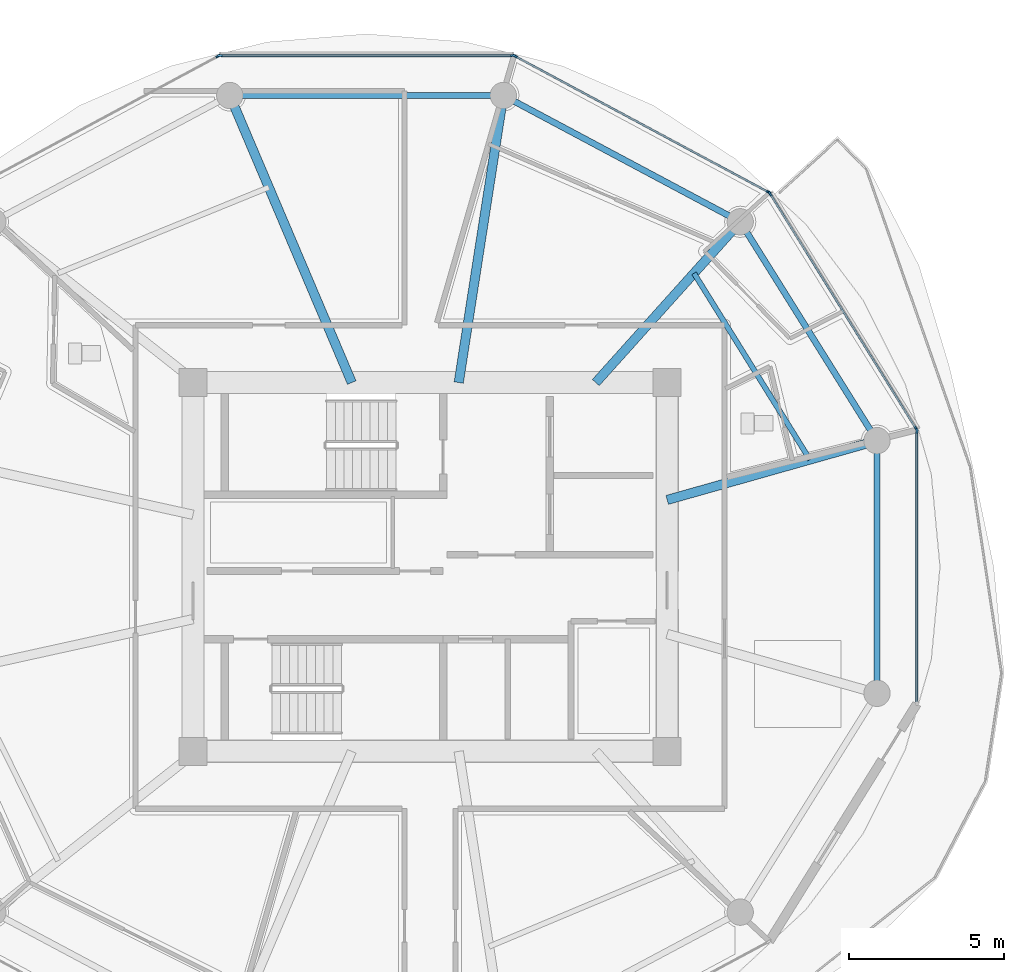
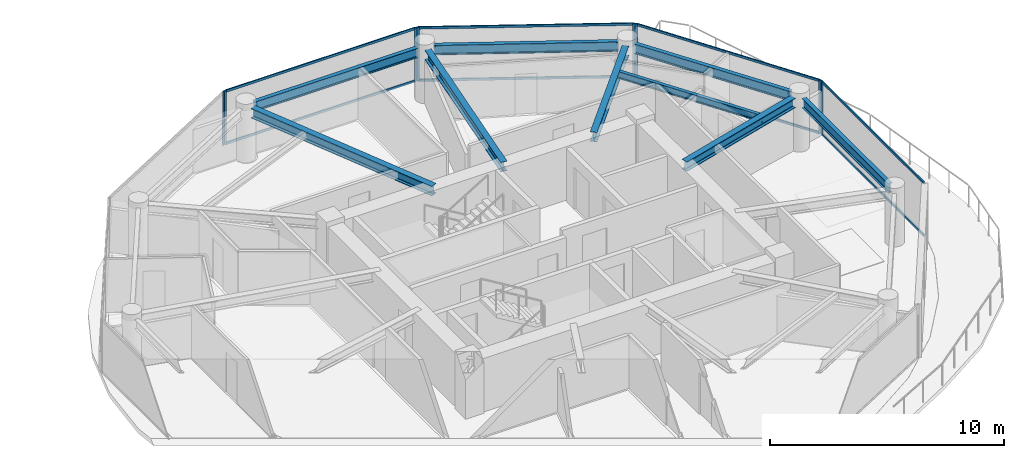
# One storey, part 11 of 25: 16 members, 9 beams, 5 elements without a shape of their own.
"""IFC4 building model written with IfcOpenShell, lengths in metres."""

from ifc_helpers import new_model, si_unit, direction, frame, origin, origin_2d, place, context, subcontext, project, spatial, rectangle, i_section, extrude, source, transform, mapped, material, layer, layer_set, material_profile, profile_set, type_object, type_shapes, element, aggregate, save


model = new_model("IFC4")

# Units and contexts
model_context = context("Model", 3, precision=1e-05, world=origin(), true_north=direction((0.0, 1.0)))
body_context = subcontext(model_context, "Body", "Model", "MODEL_VIEW")
ifc_project = project(units=[si_unit("LENGTHUNIT", "METRE"), si_unit("AREAUNIT", "SQUARE_METRE"), si_unit("VOLUMEUNIT", "CUBIC_METRE"), si_unit("PLANEANGLEUNIT", "RADIAN"), si_unit("MASSUNIT", "GRAM", prefix="KILO")], contexts=[model_context])

# Site, building, storey
site_placement = place(None, origin())
site = spatial("IfcSite", under=ifc_project, at=site_placement, CompositionType="ELEMENT")
building_placement = place(site_placement, origin())
building = spatial("IfcBuilding", under=site, at=building_placement, Name="Norrkilde Senior Care Towers", CompositionType="ELEMENT")
storey_placement = place(building_placement, frame((0.0, 0.0, 99.300048828125)))
storey = spatial("IfcBuildingStorey", under=building, at=storey_placement, Name="L30", CompositionType="ELEMENT", Elevation=99.300048828125)

# Beams
ifc_material_1 = material(Name="Steel S355", Category="steel")
ifc_material_profile_1 = material_profile(ifc_material_1, i_section(OverallWidth=0.199951171875, OverallDepth=0.5, WebThickness=0.01025390625, FlangeThickness=0.01611328125, FilletRadius=0.02099609375, at=origin_2d()), Name="IPE 500")
ifc_profile_set_1 = profile_set([ifc_material_profile_1], Name="Steel S355")
beam_type_1 = type_object("IfcBeamType", Name="Perimeter Ring Spandrel Z2 IPE500", PredefinedType="SPANDREL", material=ifc_profile_set_1)
shared_shape_1 = source(origin(), body_context, "Body", "SweptSolid", [
    extrude(i_section(OverallWidth=0.199951171875, OverallDepth=0.5, WebThickness=0.01025390625, FlangeThickness=0.01611328125, FilletRadius=0.02099609375, at=origin_2d()), origin(), (0.0, 0.0, 1.0), 7.892333984375),
])
beam_1_placement = place(storey_placement, frame((37.66650390625, 11.318115234375, 2.5400390625), z_axis=(-0.882350372282, 0.47059305194, 0.0), x_axis=(-0.47059305194, -0.882350372282, 0.0)))
element("IfcBeam", 1, at=beam_1_placement, inside=storey, type_object=beam_type_1, Name="L30 Drum E Perimeter Spandrel 02", PredefinedType="SPANDREL", context=body_context, shape_type="MappedRepresentation", body=[
    mapped(shared_shape_1, transform((0.0, 0.0, 0.0), x_axis=(1.0, 0.0, 0.0), y_axis=(0.0, 1.0, 0.0), z_axis=(0.0, 0.0, 1.0), scale=1.0)),
])
shared_shape_2 = source(origin(), body_context, "Body", "SweptSolid", [
    extrude(i_section(OverallWidth=0.199951171875, OverallDepth=0.5, WebThickness=0.01025390625, FlangeThickness=0.01611328125, FilletRadius=0.02099609375, at=origin_2d()), origin(), (0.0, 0.0, 1.0), 8.0556640625),
])
beam_2_placement = place(storey_placement, frame((29.977783203125, 15.21337890625, 2.5400390625), z_axis=(-1.0, 0.0, 0.0), x_axis=(0.0, -1.0, 0.0)))
element("IfcBeam", 2, at=beam_2_placement, inside=storey, type_object=beam_type_1, Name="L30 Drum E Perimeter Spandrel 03", PredefinedType="SPANDREL", context=body_context, shape_type="MappedRepresentation", body=[
    mapped(shared_shape_2, transform((0.0, 0.0, 0.0), x_axis=(1.0, 0.0, 0.0), y_axis=(0.0, 1.0, 0.0), z_axis=(0.0, 0.0, 1.0), scale=1.0)),
])
ifc_material_profile_2 = material_profile(ifc_material_1, i_section(OverallWidth=0.300048828125, OverallDepth=0.5, WebThickness=0.014404296875, FlangeThickness=0.028076171875, FilletRadius=0.027099609375, at=origin_2d()), Name="HEB 500")
ifc_profile_set_2 = profile_set([ifc_material_profile_2], Name="Steel S355")
beam_type_2 = type_object("IfcBeamType", Name="Radial Floor Beam Z2 HEB500", PredefinedType="BEAM", material=ifc_profile_set_2)
shared_shape_3 = source(origin(), body_context, "Body", "SweptSolid", [
    extrude(i_section(OverallWidth=0.300048828125, OverallDepth=0.5, WebThickness=0.014404296875, FlangeThickness=0.028076171875, FilletRadius=0.027099609375, at=origin_2d()), origin(), (0.0, 0.0, 1.0), 9.679443359375),
])
beam_3_placement = place(storey_placement, frame((25.472412109375, 5.949951171875, 2.5400390625), z_axis=(-0.390998033479, 0.920391513333, 0.0), x_axis=(-0.920391513333, -0.390998033479, 0.0)))
element("IfcBeam", 3, at=beam_3_placement, inside=storey, type_object=beam_type_2, Name="L30 Drum E Radial Floor Beam 04", PredefinedType="BEAM", context=body_context, shape_type="MappedRepresentation", body=[
    mapped(shared_shape_3, transform((0.0, 0.0, 0.0), x_axis=(1.0, 0.0, 0.0), y_axis=(0.0, 1.0, 0.0), z_axis=(0.0, 0.0, 1.0), scale=1.0)),
])
shared_shape_4 = source(origin(), body_context, "Body", "SweptSolid", [
    extrude(i_section(OverallWidth=0.300048828125, OverallDepth=0.5, WebThickness=0.014404296875, FlangeThickness=0.028076171875, FilletRadius=0.027099609375, at=origin_2d()), origin(), (0.0, 0.0, 1.0), 8.989501953125),
])
beam_4_placement = place(storey_placement, frame((28.924072265625, 5.949951171875, 2.5400390625), z_axis=(0.153471298636, 0.988153105796, 0.0), x_axis=(-0.988153105796, 0.153471298636, 0.0)))
element("IfcBeam", 4, at=beam_4_placement, inside=storey, type_object=beam_type_2, Name="L30 Drum E Radial Floor Beam 03", PredefinedType="BEAM", context=body_context, shape_type="MappedRepresentation", body=[
    mapped(shared_shape_4, transform((0.0, 0.0, 0.0), x_axis=(1.0, 0.0, 0.0), y_axis=(0.0, 1.0, 0.0), z_axis=(0.0, 0.0, 1.0), scale=1.0)),
])
shared_shape_5 = source(origin(), body_context, "Body", "SweptSolid", [
    extrude(i_section(OverallWidth=0.199951171875, OverallDepth=0.5, WebThickness=0.01025390625, FlangeThickness=0.01611328125, FilletRadius=0.02099609375, at=origin_2d()), origin(), (0.0, 0.0, 1.0), 7.556396484375),
])
beam_5_placement = place(storey_placement, frame((42.215087890625, 4.40283203125, 2.5400390625), z_axis=(-0.530004748437, 0.847994673706, 0.0), x_axis=(-0.847994673706, -0.530004748437, 0.0)))
element("IfcBeam", 5, at=beam_5_placement, inside=storey, type_object=beam_type_1, Name="L30 Drum E Perimeter Spandrel 01", PredefinedType="SPANDREL", context=body_context, shape_type="MappedRepresentation", body=[
    mapped(shared_shape_5, transform((0.0, 0.0, 0.0), x_axis=(1.0, 0.0, 0.0), y_axis=(0.0, 1.0, 0.0), z_axis=(0.0, 0.0, 1.0), scale=1.0)),
])
shared_shape_6 = source(origin(), body_context, "Body", "SweptSolid", [
    extrude(i_section(OverallWidth=0.300048828125, OverallDepth=0.5, WebThickness=0.014404296875, FlangeThickness=0.028076171875, FilletRadius=0.027099609375, at=origin_2d()), origin(), (0.0, 0.0, 1.0), 6.587890625),
])
beam_6_placement = place(storey_placement, frame((33.345947265625, 5.949951171875, 2.5400390625), z_axis=(0.668315438605, 0.743877997068, 0.0), x_axis=(-0.743877997068, 0.668315438605, 0.0)))
element("IfcBeam", 6, at=beam_6_placement, inside=storey, type_object=beam_type_2, Name="L30 Drum E Radial Floor Beam 02", PredefinedType="BEAM", context=body_context, shape_type="MappedRepresentation", body=[
    mapped(shared_shape_6, transform((0.0, 0.0, 0.0), x_axis=(1.0, 0.0, 0.0), y_axis=(0.0, 1.0, 0.0), z_axis=(0.0, 0.0, 1.0), scale=1.0)),
])
shared_shape_7 = source(origin(), body_context, "Body", "SweptSolid", [
    extrude(i_section(OverallWidth=0.199951171875, OverallDepth=0.5, WebThickness=0.01025390625, FlangeThickness=0.01611328125, FilletRadius=0.02099609375, at=origin_2d()), origin(), (0.0, 0.0, 1.0), 7.3828125),
])
type_shapes(beam_type_1, [shared_shape_1, shared_shape_2, shared_shape_5, shared_shape_7])
beam_7_placement = place(storey_placement, frame((42.4189453125, -3.69140625, 2.5400390625), z_axis=(0.0, 1.0, 0.0), x_axis=(-1.0, 0.0, 0.0)))
element("IfcBeam", 7, at=beam_7_placement, inside=storey, type_object=beam_type_1, Name="L30 Drum E Perimeter Spandrel 12", PredefinedType="SPANDREL", context=body_context, shape_type="MappedRepresentation", body=[
    mapped(shared_shape_7, transform((0.0, 0.0, 0.0), x_axis=(1.0, 0.0, 0.0), y_axis=(0.0, 1.0, 0.0), z_axis=(0.0, 0.0, 1.0), scale=1.0)),
])
shared_shape_8 = source(origin(), body_context, "Body", "SweptSolid", [
    extrude(i_section(OverallWidth=0.300048828125, OverallDepth=0.5, WebThickness=0.014404296875, FlangeThickness=0.028076171875, FilletRadius=0.027099609375, at=origin_2d()), origin(), (0.0, 0.0, 1.0), 6.6494140625),
])
type_shapes(beam_type_2, [shared_shape_3, shared_shape_4, shared_shape_6, shared_shape_8])
beam_8_placement = place(storey_placement, frame((35.64990234375, 2.162841796875, 2.5400390625), z_axis=(0.962289138357, 0.27202870106, 0.0), x_axis=(-0.27202870106, 0.962289138357, 0.0)))
element("IfcBeam", 8, at=beam_8_placement, inside=storey, type_object=beam_type_2, Name="L30 Drum E Radial Floor Beam 01", PredefinedType="BEAM", context=body_context, shape_type="MappedRepresentation", body=[
    mapped(shared_shape_8, transform((0.0, 0.0, 0.0), x_axis=(1.0, 0.0, 0.0), y_axis=(0.0, 1.0, 0.0), z_axis=(0.0, 0.0, 1.0), scale=1.0)),
])
ifc_material_profile_3 = material_profile(ifc_material_1, i_section(OverallWidth=0.169921875, OverallDepth=0.360107421875, WebThickness=0.008056640625, FlangeThickness=0.0126953125, FilletRadius=0.01806640625, at=origin_2d()), Name="IPE 360")
ifc_profile_set_3 = profile_set([ifc_material_profile_3], Name="Steel S355")
beam_type_3 = type_object("IfcBeamType", Name="Secondary Floor Joist IPE360", PredefinedType="JOIST", material=ifc_profile_set_3)
shared_shape_9 = source(origin(), body_context, "Body", "SweptSolid", [
    extrude(i_section(OverallWidth=0.169921875, OverallDepth=0.360107421875, WebThickness=0.008056640625, FlangeThickness=0.0126953125, FilletRadius=0.01806640625, at=origin_2d()), origin(), (0.0, 0.0, 1.0), 7.080078125),
])
type_shapes(beam_type_3, [shared_shape_9])
beam_9_placement = place(storey_placement, frame((40.2529296875, 3.464111328125, 2.60986328125), z_axis=(-0.527961009189, 0.849268610497, 0.0), x_axis=(-0.849268610497, -0.527961009189, 0.0)))
element("IfcBeam", 9, at=beam_9_placement, inside=storey, type_object=beam_type_3, Name="L30 Drum E Secondary Floor Joist 1", PredefinedType="JOIST", context=body_context, shape_type="MappedRepresentation", body=[
    mapped(shared_shape_9, transform((0.0, 0.0, 0.0), x_axis=(1.0, 0.0, 0.0), y_axis=(0.0, 1.0, 0.0), z_axis=(0.0, 0.0, 1.0), scale=1.0)),
])

# Curtain wall, members
ifc_material_2 = material(Name="Triple Low-E Insulated Glazing", Category="glass")
ifc_layer = layer(ifc_material_2, 0.195068359375)
ifc_layer_set = layer_set([ifc_layer], Name="Triple Low-E Insulated Glazing")
curtain_wall_type = type_object("IfcCurtainWallType", Name="CW3 Zone 2 Assisted Living Curtain Wall", PredefinedType="NOTDEFINED", material=ifc_layer_set)
curtain_wall_1_placement = place(storey_placement, origin())
curtain_wall_1 = element("IfcCurtainWall", 10, at=curtain_wall_1_placement, inside=storey, type_object=curtain_wall_type, Name="L30 Drum E Curtain Wall 00", PredefinedType="NOTDEFINED")
ifc_material_3 = material(Name="Anodised Aluminium", Category="aluminium")
ifc_material_profile_4 = material_profile(ifc_material_3, rectangle(XDim=0.06494140625, YDim=0.159912109375, at=origin_2d()), Name="ALU MULL 65x160")
ifc_profile_set_4 = profile_set([ifc_material_profile_4], Name="Anodised Aluminium")
member_type_1 = type_object("IfcMemberType", Name="Curtain Wall Mullion Z1-Z2 65x160", PredefinedType="MULLION", material=ifc_profile_set_4)
shared_shape_10 = source(origin(), body_context, "Body", "SweptSolid", [
    extrude(rectangle(XDim=0.06494140625, YDim=0.159912109375, at=origin_2d()), origin(), (0.0, 0.0, 1.0), 2.7900390625),
])
type_shapes(member_type_1, [shared_shape_10])
member_1_placement = place(storey_placement, frame((38.9638671875, 12.0498046875, 0.0), z_axis=(0.0, 0.0, 1.0), x_axis=(0.849410171862, 0.527733228002, 0.0)))
member_1 = element("IfcMember", 11, at=member_1_placement, type_object=member_type_1, Name="CW-3 mullion 1", PredefinedType="MULLION", context=body_context, shape_type="MappedRepresentation", body=[
    mapped(shared_shape_10, transform((0.0, 0.0, 0.0), x_axis=(1.0, 0.0, 0.0), y_axis=(0.0, 1.0, 0.0), z_axis=(0.0, 0.0, 1.0), scale=1.0)),
])
member_2_placement = place(storey_placement, frame((43.6865234375, 4.4482421875, 0.0), z_axis=(0.0, 0.0, 1.0), x_axis=(0.849410171862, 0.527733228002, 0.0)))
member_2 = element("IfcMember", 12, at=member_2_placement, type_object=member_type_1, Name="CW-3 mullion 2", PredefinedType="MULLION", context=body_context, shape_type="MappedRepresentation", body=[
    mapped(shared_shape_10, transform((0.0, 0.0, 0.0), x_axis=(1.0, 0.0, 0.0), y_axis=(0.0, 1.0, 0.0), z_axis=(0.0, 0.0, 1.0), scale=1.0)),
])

curtain_wall_2_placement = place(storey_placement, origin())
curtain_wall_2 = element("IfcCurtainWall", 13, at=curtain_wall_2_placement, inside=storey, type_object=curtain_wall_type, Name="L30 Drum E Curtain Wall 01", PredefinedType="NOTDEFINED")
member_3_placement = place(storey_placement, frame((30.73583984375, 16.482666015625, 0.0), z_axis=(0.0, 0.0, 1.0), x_axis=(0.472769402511, 0.881186184668, 0.0)))
member_3 = element("IfcMember", 14, at=member_3_placement, type_object=member_type_1, Name="CW-3 mullion 1", PredefinedType="MULLION", context=body_context, shape_type="MappedRepresentation", body=[
    mapped(shared_shape_10, transform((0.0, 0.0, 0.0), x_axis=(1.0, 0.0, 0.0), y_axis=(0.0, 1.0, 0.0), z_axis=(0.0, 0.0, 1.0), scale=1.0)),
])
member_4_placement = place(storey_placement, frame((38.91796875, 12.0927734375, 0.0), z_axis=(0.0, 0.0, 1.0), x_axis=(0.472769402511, 0.881186184668, 0.0)))
member_4 = element("IfcMember", 15, at=member_4_placement, type_object=member_type_1, Name="CW-3 mullion 2", PredefinedType="MULLION", context=body_context, shape_type="MappedRepresentation", body=[
    mapped(shared_shape_10, transform((0.0, 0.0, 0.0), x_axis=(1.0, 0.0, 0.0), y_axis=(0.0, 1.0, 0.0), z_axis=(0.0, 0.0, 1.0), scale=1.0)),
])

curtain_wall_3_placement = place(storey_placement, origin())
curtain_wall_3 = element("IfcCurtainWall", 16, at=curtain_wall_3_placement, inside=storey, type_object=curtain_wall_type, Name="L30 Drum E Curtain Wall 02", PredefinedType="NOTDEFINED")
member_5_placement = place(storey_placement, frame((21.225341796875, 16.498046875, 0.0), z_axis=(0.0, 0.0, 1.0), x_axis=(0.0, 1.0, 0.0)))
member_5 = element("IfcMember", 17, at=member_5_placement, type_object=member_type_1, Name="CW-3 mullion 1", PredefinedType="MULLION", context=body_context, shape_type="MappedRepresentation", body=[
    mapped(shared_shape_10, transform((0.0, 0.0, 0.0), x_axis=(1.0, 0.0, 0.0), y_axis=(0.0, 1.0, 0.0), z_axis=(0.0, 0.0, 1.0), scale=1.0)),
])
member_6_placement = place(storey_placement, frame((30.674560546875, 16.498046875, 0.0), z_axis=(0.0, 0.0, 1.0), x_axis=(0.0, 1.0, 0.0)))
member_6 = element("IfcMember", 18, at=member_6_placement, type_object=member_type_1, Name="CW-3 mullion 2", PredefinedType="MULLION", context=body_context, shape_type="MappedRepresentation", body=[
    mapped(shared_shape_10, transform((0.0, 0.0, 0.0), x_axis=(1.0, 0.0, 0.0), y_axis=(0.0, 1.0, 0.0), z_axis=(0.0, 0.0, 1.0), scale=1.0)),
])

# Curtain wall, member
curtain_wall_4_placement = place(storey_placement, origin())
curtain_wall_4 = element("IfcCurtainWall", 19, at=curtain_wall_4_placement, inside=storey, type_object=curtain_wall_type, Name="L30 Drum E Curtain Wall 03", PredefinedType="NOTDEFINED")
member_7_placement = place(storey_placement, frame((21.164306640625, 16.482666015625, 0.0), z_axis=(0.0, 0.0, 1.0), x_axis=(-0.472769402511, 0.881186184668, 0.0)))
member_7 = element("IfcMember", 20, at=member_7_placement, type_object=member_type_1, Name="CW-3 mullion 2", PredefinedType="MULLION", context=body_context, shape_type="MappedRepresentation", body=[
    mapped(shared_shape_10, transform((0.0, 0.0, 0.0), x_axis=(1.0, 0.0, 0.0), y_axis=(0.0, 1.0, 0.0), z_axis=(0.0, 0.0, 1.0), scale=1.0)),
])
aggregate(curtain_wall_4, [member_7])

curtain_wall_5_placement = place(storey_placement, origin())
curtain_wall_5 = element("IfcCurtainWall", 21, at=curtain_wall_5_placement, inside=storey, type_object=curtain_wall_type, Name="L30 Drum E Curtain Wall 11", PredefinedType="NOTDEFINED")
member_8_placement = place(storey_placement, frame((43.70361328125, 4.38818359375, 0.0), z_axis=(0.0, 0.0, 1.0), x_axis=(1.0, 0.0, 0.0)))
member_8 = element("IfcMember", 22, at=member_8_placement, type_object=member_type_1, Name="CW-3 mullion 1", PredefinedType="MULLION", context=body_context, shape_type="MappedRepresentation", body=[
    mapped(shared_shape_10, transform((0.0, 0.0, 0.0), x_axis=(1.0, 0.0, 0.0), y_axis=(0.0, 1.0, 0.0), z_axis=(0.0, 0.0, 1.0), scale=1.0)),
])

# Member
ifc_material_profile_5 = material_profile(ifc_material_3, rectangle(XDim=0.06005859375, YDim=0.1201171875, at=origin_2d()), Name="ALU TRAN 60x120")
ifc_profile_set_5 = profile_set([ifc_material_profile_5], Name="Anodised Aluminium")
member_type_2 = type_object("IfcMemberType", Name="Curtain Wall Transom Typical 60x120", PredefinedType="USERDEFINED", material=ifc_profile_set_5)
shared_shape_11 = source(origin(), body_context, "Body", "SweptSolid", [
    extrude(rectangle(XDim=0.06005859375, YDim=0.1201171875, at=origin_2d()), origin(), (0.0, 0.0, 1.0), 8.88427734375),
])
member_9_placement = place(storey_placement, frame((38.98095703125, 12.022216796875, 0.030029296875), z_axis=(0.527729466743, -0.849412508697, 0.0), x_axis=(0.849412508697, 0.527729466743, 0.0)))
member_9 = element("IfcMember", 23, at=member_9_placement, type_object=member_type_2, Name="CW-3 transom 1.1", ObjectType="TRANSOM", PredefinedType="USERDEFINED", context=body_context, shape_type="MappedRepresentation", body=[
    mapped(shared_shape_11, transform((0.0, 0.0, 0.0), x_axis=(1.0, 0.0, 0.0), y_axis=(0.0, 1.0, 0.0), z_axis=(0.0, 0.0, 1.0), scale=1.0)),
])

member_10_placement = place(storey_placement, frame((38.98095703125, 12.022216796875, 2.760009765625), z_axis=(0.527729466743, -0.849412508697, 0.0), x_axis=(0.849412508697, 0.527729466743, 0.0)))
member_10 = element("IfcMember", 24, at=member_10_placement, type_object=member_type_2, Name="CW-3 transom 1.2", ObjectType="TRANSOM", PredefinedType="USERDEFINED", context=body_context, shape_type="MappedRepresentation", body=[
    mapped(shared_shape_11, transform((0.0, 0.0, 0.0), x_axis=(1.0, 0.0, 0.0), y_axis=(0.0, 1.0, 0.0), z_axis=(0.0, 0.0, 1.0), scale=1.0)),
])

aggregate(curtain_wall_1, [member_1, member_2, member_9, member_10])

shared_shape_12 = source(origin(), body_context, "Body", "SweptSolid", [
    extrude(rectangle(XDim=0.06005859375, YDim=0.1201171875, at=origin_2d()), origin(), (0.0, 0.0, 1.0), 9.220458984375),
])
member_11_placement = place(storey_placement, frame((30.764404296875, 16.46728515625, 0.030029296875), z_axis=(0.881188517866, -0.472765053681, 0.0), x_axis=(0.472765053681, 0.881188517866, 0.0)))
member_11 = element("IfcMember", 25, at=member_11_placement, type_object=member_type_2, Name="CW-3 transom 1.1", ObjectType="TRANSOM", PredefinedType="USERDEFINED", context=body_context, shape_type="MappedRepresentation", body=[
    mapped(shared_shape_12, transform((0.0, 0.0, 0.0), x_axis=(1.0, 0.0, 0.0), y_axis=(0.0, 1.0, 0.0), z_axis=(0.0, 0.0, 1.0), scale=1.0)),
])

member_12_placement = place(storey_placement, frame((30.764404296875, 16.46728515625, 2.760009765625), z_axis=(0.881188517866, -0.472765053681, 0.0), x_axis=(0.472765053681, 0.881188517866, 0.0)))
member_12 = element("IfcMember", 26, at=member_12_placement, type_object=member_type_2, Name="CW-3 transom 1.2", ObjectType="TRANSOM", PredefinedType="USERDEFINED", context=body_context, shape_type="MappedRepresentation", body=[
    mapped(shared_shape_12, transform((0.0, 0.0, 0.0), x_axis=(1.0, 0.0, 0.0), y_axis=(0.0, 1.0, 0.0), z_axis=(0.0, 0.0, 1.0), scale=1.0)),
])

aggregate(curtain_wall_2, [member_3, member_4, member_11, member_12])

shared_shape_13 = source(origin(), body_context, "Body", "SweptSolid", [
    extrude(rectangle(XDim=0.06005859375, YDim=0.1201171875, at=origin_2d()), origin(), (0.0, 0.0, 1.0), 9.38427734375),
])
member_13_placement = place(storey_placement, frame((21.2578125, 16.498046875, 0.030029296875), z_axis=(1.0, 0.0, 0.0), x_axis=(0.0, 1.0, 0.0)))
member_13 = element("IfcMember", 27, at=member_13_placement, type_object=member_type_2, Name="CW-3 transom 1.1", ObjectType="TRANSOM", PredefinedType="USERDEFINED", context=body_context, shape_type="MappedRepresentation", body=[
    mapped(shared_shape_13, transform((0.0, 0.0, 0.0), x_axis=(1.0, 0.0, 0.0), y_axis=(0.0, 1.0, 0.0), z_axis=(0.0, 0.0, 1.0), scale=1.0)),
])

member_14_placement = place(storey_placement, frame((21.2578125, 16.498046875, 2.760009765625), z_axis=(1.0, 0.0, 0.0), x_axis=(0.0, 1.0, 0.0)))
member_14 = element("IfcMember", 28, at=member_14_placement, type_object=member_type_2, Name="CW-3 transom 1.2", ObjectType="TRANSOM", PredefinedType="USERDEFINED", context=body_context, shape_type="MappedRepresentation", body=[
    mapped(shared_shape_13, transform((0.0, 0.0, 0.0), x_axis=(1.0, 0.0, 0.0), y_axis=(0.0, 1.0, 0.0), z_axis=(0.0, 0.0, 1.0), scale=1.0)),
])

aggregate(curtain_wall_3, [member_5, member_6, member_13, member_14])

shared_shape_14 = source(origin(), body_context, "Body", "SweptSolid", [
    extrude(rectangle(XDim=0.06005859375, YDim=0.1201171875, at=origin_2d()), origin(), (0.0, 0.0, 1.0), 8.71142578125),
])
type_shapes(member_type_2, [shared_shape_11, shared_shape_12, shared_shape_13, shared_shape_14])
member_15_placement = place(storey_placement, frame((43.70361328125, 4.355712890625, 0.030029296875), z_axis=(0.0, -1.0, 0.0), x_axis=(1.0, 0.0, 0.0)))
member_15 = element("IfcMember", 29, at=member_15_placement, type_object=member_type_2, Name="CW-3 transom 1.1", ObjectType="TRANSOM", PredefinedType="USERDEFINED", context=body_context, shape_type="MappedRepresentation", body=[
    mapped(shared_shape_14, transform((0.0, 0.0, 0.0), x_axis=(1.0, 0.0, 0.0), y_axis=(0.0, 1.0, 0.0), z_axis=(0.0, 0.0, 1.0), scale=1.0)),
])

member_16_placement = place(storey_placement, frame((43.70361328125, 4.355712890625, 2.760009765625), z_axis=(0.0, -1.0, 0.0), x_axis=(1.0, 0.0, 0.0)))
member_16 = element("IfcMember", 30, at=member_16_placement, type_object=member_type_2, Name="CW-3 transom 1.2", ObjectType="TRANSOM", PredefinedType="USERDEFINED", context=body_context, shape_type="MappedRepresentation", body=[
    mapped(shared_shape_14, transform((0.0, 0.0, 0.0), x_axis=(1.0, 0.0, 0.0), y_axis=(0.0, 1.0, 0.0), z_axis=(0.0, 0.0, 1.0), scale=1.0)),
])

aggregate(curtain_wall_5, [member_8, member_15, member_16])

save(model, "model.ifc")
